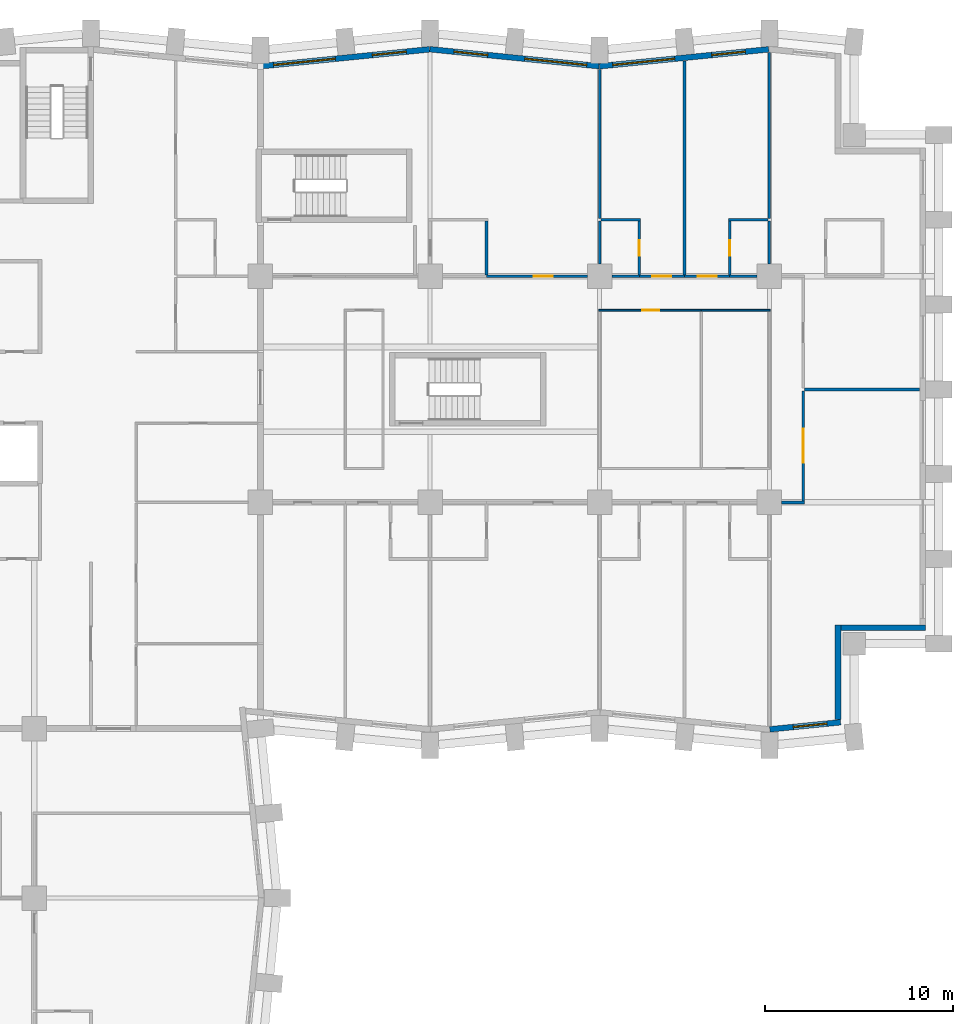
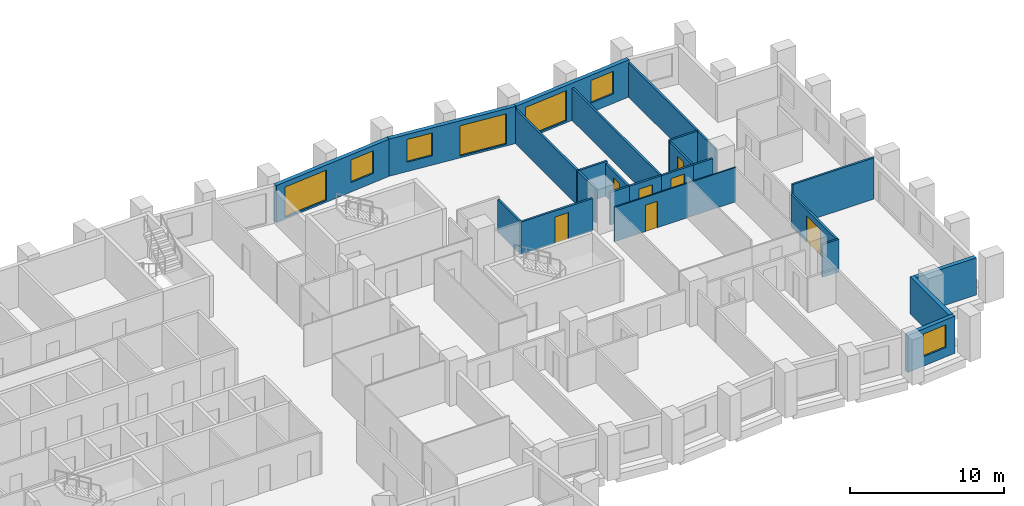
# One storey, part 9 of 13: 26 walls, 7 doors, 7 windows, 14 openings.
"""IFC4 building model written with IfcOpenShell, lengths in metres."""

from ifc_helpers import new_model, si_unit, direction, frame, frame_2d, origin, place, context, subcontext, project, spatial, rectangle, extrude, material, layer, layer_set, type_object, element, fill, save


model = new_model("IFC4")

# Units and contexts
model_context = context("Model", 3, precision=1e-05, world=origin(), true_north=direction((0.0, 1.0)))
body_context = subcontext(model_context, "Body", "Model", "MODEL_VIEW")
ifc_project = project(units=[si_unit("LENGTHUNIT", "METRE"), si_unit("AREAUNIT", "SQUARE_METRE"), si_unit("VOLUMEUNIT", "CUBIC_METRE"), si_unit("PLANEANGLEUNIT", "RADIAN"), si_unit("MASSUNIT", "GRAM", prefix="KILO")], contexts=[model_context])

# Site, building, storey
site_placement = place(None, origin())
site = spatial("IfcSite", under=ifc_project, at=site_placement, CompositionType="ELEMENT")
building_placement = place(site_placement, origin())
building = spatial("IfcBuilding", under=site, at=building_placement, Name="Brondeck Convention Tower", CompositionType="ELEMENT")
storey_placement = place(building_placement, frame((0.0, 0.0, 69.89990234375)))
storey = spatial("IfcBuildingStorey", under=building, at=storey_placement, Name="L15", CompositionType="ELEMENT", Elevation=69.89990234375)

# Wall, opening, window
ifc_material_1 = material(Name="Precast concrete C50/60 bronze finish", Category="concrete")
ifc_layer_1 = layer(ifc_material_1, 0.070068359375, Name="Bronze precast facing")
ifc_material_2 = material(Name="Mineral wool")
ifc_layer_2 = layer(ifc_material_2, 0.159912109375, Name="Insulation")
ifc_material_3 = material(Name="Concrete C35/45", Category="concrete")
ifc_layer_3 = layer(ifc_material_3, 0.070068359375, Name="Backing")
ifc_layer_set_1 = layer_set([ifc_layer_1, ifc_layer_2, ifc_layer_3], Name="External infill wall, precast concrete C50/60 bronze facing")
wall_type_1 = type_object("IfcWallType", Name="External infill wall, precast concrete C50/60 bronze facing", PredefinedType="SOLIDWALL", material=ifc_layer_set_1)
wall_1_placement = place(storey_placement, frame((66.78515625, 27.332763671875, 0.0), z_axis=(0.0, 0.0, 1.0), x_axis=(-0.995038471088, -0.099490909409, 0.0)))
wall_1 = element("IfcWall", 1, at=wall_1_placement, inside=storey, type_object=wall_type_1, Name="ENV-EW-L15-P0-A-S-06", PredefinedType="SOLIDWALL", context=body_context, shape_type="SweptSolid", body=[
    extrude(rectangle(XDim=3.774169921875, YDim=0.300048828125, at=frame_2d((1.88720703125, 0.0))), origin(), (0.0, 0.0, 1.0), 2.9501953125),
])
opening_1_placement = place(wall_1_placement, frame((0.727783203125, 0.0, 0.75)))
opening_1 = element("IfcOpeningElement", 2, at=opening_1_placement, cuts=wall_1, Name="Opening W10", PredefinedType="OPENING", context=body_context, shape_type="SweptSolid", body=[
    extrude(rectangle(XDim=1.800048828125, YDim=1.800048828125, at=frame_2d((0.89990234375, 0.89990234375))), frame((0.0, 0.159912109375, 0.0), z_axis=(0.0, -1.0, 0.0), x_axis=(1.0, 0.0, 0.0)), (0.0, 0.0, 1.0), 0.320068359375),
])
ifc_material_4 = material(Name="Bronze tinted double glazing", Category="glass")
window_type_1 = type_object("IfcWindowType", Name="Punched window, bronze tinted", PartitioningType="SINGLE_PANEL", PredefinedType="WINDOW", material=ifc_material_4)
window_1_placement = place(opening_1_placement, origin())
window_1 = element("IfcWindow", 3, at=window_1_placement, inside=storey, type_object=window_type_1, Name="ENV-WN-L15-P0-A-S-06", OverallHeight=1.800048828125, OverallWidth=1.800048828125, PartitioningType="SINGLE_PANEL", PredefinedType="WINDOW", context=body_context, shape_type="SweptSolid", body=[
    extrude(rectangle(XDim=1.800048828125, YDim=1.800048828125, at=frame_2d((0.89990234375, 0.89990234375))), frame((0.0, 0.030029296875, 0.0), z_axis=(0.0, -1.0, 0.0), x_axis=(1.0, 0.0, 0.0)), (0.0, 0.0, 1.0), 0.06005859375),
])
fill(opening_1, window_1)

# Walls
wall_2_placement = place(storey_placement, frame((66.64990234375, 32.5, 0.0), z_axis=(0.0, 0.0, 1.0), x_axis=(0.0, -1.0, 0.0)))
element("IfcWall", 4, at=wall_2_placement, inside=storey, type_object=wall_type_1, Name="ENV-EW-L15-P0-NC-SEA72-01", PredefinedType="SOLIDWALL", context=body_context, shape_type="SweptSolid", body=[
    extrude(rectangle(XDim=5.02880859375, YDim=0.300048828125, at=frame_2d((2.514404296875, 0.0))), origin(), (0.0, 0.0, 1.0), 2.9501953125),
])
wall_3_placement = place(storey_placement, frame((71.300048828125, 32.35009765625, 0.0), z_axis=(0.0, 0.0, 1.0), x_axis=(-1.0, 0.0, 0.0)))
element("IfcWall", 5, at=wall_3_placement, inside=storey, type_object=wall_type_1, Name="ENV-EW-L15-P0-NC-SEA72-02", PredefinedType="SOLIDWALL", context=body_context, shape_type="SweptSolid", body=[
    extrude(rectangle(XDim=4.5, YDim=0.300048828125, at=frame_2d((2.25, 0.0))), origin(), (0.0, 0.0, 1.0), 2.9501953125),
])

# Wall, openings, windows
wall_4_placement = place(storey_placement, frame((53.985107421875, 62.144287109375, 0.0), z_axis=(0.0, 0.0, 1.0), x_axis=(0.995037993253, 0.099495688264, 0.0)))
wall_4 = element("IfcWall", 6, at=wall_4_placement, inside=storey, type_object=wall_type_1, Name="ENV-EW-L15-P0-A-N-13", PredefinedType="SOLIDWALL", context=body_context, shape_type="SweptSolid", body=[
    extrude(rectangle(XDim=9.030029296875, YDim=0.300048828125, at=frame_2d((4.51513671875, 0.0))), origin(), (0.0, 0.0, 1.0), 2.9501953125),
])
opening_2_placement = place(wall_4_placement, frame((0.711181640625, 0.0, 0.14990234375)))
opening_2 = element("IfcOpeningElement", 7, at=opening_2_placement, cuts=wall_4, Name="Opening W9", PredefinedType="OPENING", context=body_context, shape_type="SweptSolid", body=[
    extrude(rectangle(XDim=3.300048828125, YDim=2.39990234375, at=frame_2d((1.64990234375, 1.199951171875))), frame((0.0, 0.159912109375, 0.0), z_axis=(0.0, -1.0, 0.0), x_axis=(1.0, 0.0, 0.0)), (0.0, 0.0, 1.0), 0.320068359375),
])
opening_3_placement = place(wall_4_placement, frame((5.983642578125, 0.0, 0.75)))
opening_3 = element("IfcOpeningElement", 8, at=opening_3_placement, cuts=wall_4, Name="Opening W10", PredefinedType="OPENING", context=body_context, shape_type="SweptSolid", body=[
    extrude(rectangle(XDim=1.800048828125, YDim=1.800048828125, at=frame_2d((0.89990234375, 0.89990234375))), frame((0.0, 0.159912109375, 0.0), z_axis=(0.0, -1.0, 0.0), x_axis=(1.0, 0.0, 0.0)), (0.0, 0.0, 1.0), 0.320068359375),
])
window_type_2 = type_object("IfcWindowType", Name="Glazed flute window, bronze tinted", PartitioningType="SINGLE_PANEL", PredefinedType="WINDOW", material=ifc_material_4)
window_2_placement = place(opening_2_placement, origin())
window_2 = element("IfcWindow", 9, at=window_2_placement, inside=storey, type_object=window_type_2, Name="ENV-WN-L15-P0-A-N-12", OverallHeight=2.39990234375, OverallWidth=3.300048828125, PartitioningType="SINGLE_PANEL", PredefinedType="WINDOW", context=body_context, shape_type="SweptSolid", body=[
    extrude(rectangle(XDim=3.300048828125, YDim=2.39990234375, at=frame_2d((1.64990234375, 1.199951171875))), frame((0.0, 0.030029296875, 0.0), z_axis=(0.0, -1.0, 0.0), x_axis=(1.0, 0.0, 0.0)), (0.0, 0.0, 1.0), 0.06005859375),
])
fill(opening_2, window_2)
window_3_placement = place(opening_3_placement, origin())
window_3 = element("IfcWindow", 10, at=window_3_placement, inside=storey, type_object=window_type_1, Name="ENV-WN-L15-P0-A-N-13", OverallHeight=1.800048828125, OverallWidth=1.800048828125, PartitioningType="SINGLE_PANEL", PredefinedType="WINDOW", context=body_context, shape_type="SweptSolid", body=[
    extrude(rectangle(XDim=1.800048828125, YDim=1.800048828125, at=frame_2d((0.89990234375, 0.89990234375))), frame((0.0, 0.030029296875, 0.0), z_axis=(0.0, -1.0, 0.0), x_axis=(1.0, 0.0, 0.0)), (0.0, 0.0, 1.0), 0.06005859375),
])
fill(opening_3, window_3)

wall_5_placement = place(storey_placement, frame((44.985107421875, 63.04736328125, 0.0), z_axis=(0.0, 0.0, 1.0), x_axis=(0.995035316196, -0.099522457379, 0.0)))
wall_5 = element("IfcWall", 11, at=wall_5_placement, inside=storey, type_object=wall_type_1, Name="ENV-EW-L15-P0-A-N-11", PredefinedType="SOLIDWALL", context=body_context, shape_type="SweptSolid", body=[
    extrude(rectangle(XDim=9.030029296875, YDim=0.300048828125, at=frame_2d((4.51513671875, 0.0))), origin(), (0.0, 0.0, 1.0), 2.9501953125),
])
opening_4_placement = place(wall_5_placement, frame((1.291259765625, 0.0, 0.75)))
opening_4 = element("IfcOpeningElement", 12, at=opening_4_placement, cuts=wall_5, Name="Opening W10", PredefinedType="OPENING", context=body_context, shape_type="SweptSolid", body=[
    extrude(rectangle(XDim=1.800048828125, YDim=1.800048828125, at=frame_2d((0.89990234375, 0.89990234375))), frame((0.0, 0.159912109375, 0.0), z_axis=(0.0, -1.0, 0.0), x_axis=(1.0, 0.0, 0.0)), (0.0, 0.0, 1.0), 0.320068359375),
])
opening_5_placement = place(wall_5_placement, frame((5.063720703125, 0.0, 0.14990234375)))
opening_5 = element("IfcOpeningElement", 13, at=opening_5_placement, cuts=wall_5, Name="Opening W9", PredefinedType="OPENING", context=body_context, shape_type="SweptSolid", body=[
    extrude(rectangle(XDim=3.300048828125, YDim=2.39990234375, at=frame_2d((1.64990234375, 1.199951171875))), frame((0.0, 0.159912109375, 0.0), z_axis=(0.0, -1.0, 0.0), x_axis=(1.0, 0.0, 0.0)), (0.0, 0.0, 1.0), 0.320068359375),
])
window_4_placement = place(opening_5_placement, origin())
window_4 = element("IfcWindow", 14, at=window_4_placement, inside=storey, type_object=window_type_2, Name="ENV-WN-L15-P0-A-N-11", OverallHeight=2.39990234375, OverallWidth=3.300048828125, PartitioningType="SINGLE_PANEL", PredefinedType="WINDOW", context=body_context, shape_type="SweptSolid", body=[
    extrude(rectangle(XDim=3.300048828125, YDim=2.39990234375, at=frame_2d((1.64990234375, 1.199951171875))), frame((0.0, 0.030029296875, 0.0), z_axis=(0.0, -1.0, 0.0), x_axis=(1.0, 0.0, 0.0)), (0.0, 0.0, 1.0), 0.06005859375),
])
fill(opening_5, window_4)
window_5_placement = place(opening_4_placement, origin())
window_5 = element("IfcWindow", 15, at=window_5_placement, inside=storey, type_object=window_type_1, Name="ENV-WN-L15-P0-A-N-10", OverallHeight=1.800048828125, OverallWidth=1.800048828125, PartitioningType="SINGLE_PANEL", PredefinedType="WINDOW", context=body_context, shape_type="SweptSolid", body=[
    extrude(rectangle(XDim=1.800048828125, YDim=1.800048828125, at=frame_2d((0.89990234375, 0.89990234375))), frame((0.0, 0.030029296875, 0.0), z_axis=(0.0, -1.0, 0.0), x_axis=(1.0, 0.0, 0.0)), (0.0, 0.0, 1.0), 0.06005859375),
])
fill(opening_4, window_5)

wall_6_placement = place(storey_placement, frame((35.985107421875, 62.144287109375, 0.0), z_axis=(0.0, 0.0, 1.0), x_axis=(0.995037993253, 0.099495688264, 0.0)))
wall_6 = element("IfcWall", 16, at=wall_6_placement, inside=storey, type_object=wall_type_1, Name="ENV-EW-L15-P0-A-N-09", PredefinedType="SOLIDWALL", context=body_context, shape_type="SweptSolid", body=[
    extrude(rectangle(XDim=9.030029296875, YDim=0.300048828125, at=frame_2d((4.51513671875, 0.0))), origin(), (0.0, 0.0, 1.0), 2.9501953125),
])
opening_6_placement = place(wall_6_placement, frame((0.711181640625, 0.0, 0.14990234375)))
opening_6 = element("IfcOpeningElement", 17, at=opening_6_placement, cuts=wall_6, Name="Opening W9", PredefinedType="OPENING", context=body_context, shape_type="SweptSolid", body=[
    extrude(rectangle(XDim=3.300048828125, YDim=2.39990234375, at=frame_2d((1.64990234375, 1.199951171875))), frame((0.0, 0.159912109375, 0.0), z_axis=(0.0, -1.0, 0.0), x_axis=(1.0, 0.0, 0.0)), (0.0, 0.0, 1.0), 0.320068359375),
])
opening_7_placement = place(wall_6_placement, frame((5.983642578125, 0.0, 0.75)))
opening_7 = element("IfcOpeningElement", 18, at=opening_7_placement, cuts=wall_6, Name="Opening W10", PredefinedType="OPENING", context=body_context, shape_type="SweptSolid", body=[
    extrude(rectangle(XDim=1.800048828125, YDim=1.800048828125, at=frame_2d((0.89990234375, 0.89990234375))), frame((0.0, 0.159912109375, 0.0), z_axis=(0.0, -1.0, 0.0), x_axis=(1.0, 0.0, 0.0)), (0.0, 0.0, 1.0), 0.320068359375),
])
window_6_placement = place(opening_6_placement, origin())
window_6 = element("IfcWindow", 19, at=window_6_placement, inside=storey, type_object=window_type_2, Name="ENV-WN-L15-P0-A-N-08", OverallHeight=2.39990234375, OverallWidth=3.300048828125, PartitioningType="SINGLE_PANEL", PredefinedType="WINDOW", context=body_context, shape_type="SweptSolid", body=[
    extrude(rectangle(XDim=3.300048828125, YDim=2.39990234375, at=frame_2d((1.64990234375, 1.199951171875))), frame((0.0, 0.030029296875, 0.0), z_axis=(0.0, -1.0, 0.0), x_axis=(1.0, 0.0, 0.0)), (0.0, 0.0, 1.0), 0.06005859375),
])
fill(opening_6, window_6)
window_7_placement = place(opening_7_placement, origin())
window_7 = element("IfcWindow", 20, at=window_7_placement, inside=storey, type_object=window_type_1, Name="ENV-WN-L15-P0-A-N-09", OverallHeight=1.800048828125, OverallWidth=1.800048828125, PartitioningType="SINGLE_PANEL", PredefinedType="WINDOW", context=body_context, shape_type="SweptSolid", body=[
    extrude(rectangle(XDim=1.800048828125, YDim=1.800048828125, at=frame_2d((0.89990234375, 0.89990234375))), frame((0.0, 0.030029296875, 0.0), z_axis=(0.0, -1.0, 0.0), x_axis=(1.0, 0.0, 0.0)), (0.0, 0.0, 1.0), 0.06005859375),
])
fill(opening_7, window_7)

# Wall
ifc_material_5 = material(Name="Double gypsum board acoustic wall")
ifc_layer_4 = layer(ifc_material_5, 0.14990234375)
ifc_layer_set_2 = layer_set([ifc_layer_4], Name="Guest room party wall 150")
wall_type_2 = type_object("IfcWallType", Name="Guest room party wall 150", PredefinedType="PARTITIONING", material=ifc_layer_set_2)
wall_7_placement = place(storey_placement, frame((64.875, 39.0, 0.0), z_axis=(0.0, 0.0, 1.0), x_axis=(-1.0, 0.0, 0.0)))
element("IfcWall", 21, at=wall_7_placement, inside=storey, type_object=wall_type_2, Name="FLR-L15-W072", PredefinedType="PARTITIONING", context=body_context, shape_type="SweptSolid", body=[
    extrude(rectangle(XDim=1.219970703125, YDim=0.14990234375, at=frame_2d((0.60986328125, 0.0))), origin(), (0.0, 0.0, 1.0), 2.580078125),
])

# Wall, opening, door
wall_8_placement = place(storey_placement, frame((64.800048828125, 44.925048828125, 0.0), z_axis=(0.0, 0.0, 1.0), x_axis=(0.0, -1.0, 0.0)))
wall_8 = element("IfcWall", 22, at=wall_8_placement, inside=storey, type_object=wall_type_2, Name="FLR-L15-W080", PredefinedType="PARTITIONING", context=body_context, shape_type="SweptSolid", body=[
    extrude(rectangle(XDim=5.85009765625, YDim=0.14990234375, at=frame_2d((2.925048828125, 0.0))), origin(), (0.0, 0.0, 1.0), 2.580078125),
])
opening_8_placement = place(wall_8_placement, frame((2.02490234375, 0.0, 0.0)))
opening_8 = element("IfcOpeningElement", 23, at=opening_8_placement, cuts=wall_8, Name="Opening H4-022", PredefinedType="OPENING", context=body_context, shape_type="SweptSolid", body=[
    extrude(rectangle(XDim=1.800048828125, YDim=2.10009765625, at=frame_2d((0.89990234375, 1.050048828125))), frame((0.0, 0.0849609375, 0.0), z_axis=(0.0, -1.0, 0.0), x_axis=(1.0, 0.0, 0.0)), (0.0, 0.0, 1.0), 0.169921875),
])
ifc_material_6 = material(Name="Glazed timber double door", Category="wood")
door_type_1 = type_object("IfcDoorType", Name="Double door 1800", OperationType="DOUBLE_DOOR_SINGLE_SWING", PredefinedType="DOOR", material=ifc_material_6)
door_1_placement = place(opening_8_placement, origin())
door_1 = element("IfcDoor", 24, at=door_1_placement, inside=storey, type_object=door_type_1, Name="Door H4-022", OperationType="DOUBLE_DOOR_SINGLE_SWING", OverallHeight=2.10009765625, OverallWidth=1.800048828125, PredefinedType="DOOR", context=body_context, shape_type="SweptSolid", body=[
    extrude(rectangle(XDim=1.800048828125, YDim=2.10009765625, at=frame_2d((0.89990234375, 1.050048828125))), frame((0.0, 0.02490234375, 0.0), z_axis=(0.0, -1.0, 0.0), x_axis=(1.0, 0.0, 0.0)), (0.0, 0.0, 1.0), 0.050048828125),
])
fill(opening_8, door_1)

# Wall
wall_9_placement = place(storey_placement, frame((70.97998046875, 45.0, 0.0), z_axis=(0.0, 0.0, 1.0), x_axis=(-1.0, 0.0, 0.0)))
element("IfcWall", 25, at=wall_9_placement, inside=storey, type_object=wall_type_2, Name="FLR-L15-W081", PredefinedType="PARTITIONING", context=body_context, shape_type="SweptSolid", body=[
    extrude(rectangle(XDim=6.10498046875, YDim=0.14990234375, at=frame_2d((3.052490234375, 0.0))), origin(), (0.0, 0.0, 1.0), 3.280029296875),
])

# Wall, opening, door
wall_10_placement = place(storey_placement, frame((48.0, 51.0, 0.0), z_axis=(0.0, 0.0, 1.0), x_axis=(1.0, 0.0, 0.0)))
wall_10 = element("IfcWall", 26, at=wall_10_placement, inside=storey, type_object=wall_type_2, Name="FLR-L15-W100", PredefinedType="PARTITIONING", context=body_context, shape_type="SweptSolid", body=[
    extrude(rectangle(XDim=5.344970703125, YDim=0.14990234375, at=frame_2d((2.67236328125, 0.0))), origin(), (0.0, 0.0, 1.0), 2.580078125),
])
opening_9_placement = place(wall_10_placement, frame((2.5, 0.0, 0.0)))
opening_9 = element("IfcOpeningElement", 27, at=opening_9_placement, cuts=wall_10, Name="Opening H4-002", PredefinedType="OPENING", context=body_context, shape_type="SweptSolid", body=[
    extrude(rectangle(XDim=1.0, YDim=2.10009765625, at=frame_2d((0.5, 1.050048828125))), frame((0.0, 0.0849609375, 0.0), z_axis=(0.0, -1.0, 0.0), x_axis=(1.0, 0.0, 0.0)), (0.0, 0.0, 1.0), 0.169921875),
])
ifc_material_7 = material(Name="Solid timber fire door leaf", Category="wood")
door_type_2 = type_object("IfcDoorType", Name="Guest room door 1000", OperationType="NOTDEFINED", PredefinedType="DOOR", material=ifc_material_7)
door_2_placement = place(opening_9_placement, origin())
door_2 = element("IfcDoor", 28, at=door_2_placement, inside=storey, type_object=door_type_2, Name="Door H4-002", OperationType="SINGLE_SWING_RIGHT", OverallHeight=2.10009765625, OverallWidth=1.0, PredefinedType="DOOR", context=body_context, shape_type="SweptSolid", body=[
    extrude(rectangle(XDim=1.0, YDim=2.10009765625, at=frame_2d((0.5, 1.050048828125))), frame((0.0, 0.02490234375, 0.0), z_axis=(0.0, -1.0, 0.0), x_axis=(1.0, 0.0, 0.0)), (0.0, 0.0, 1.0), 0.050048828125),
])
fill(opening_9, door_2)

# Wall
wall_11_placement = place(storey_placement, frame((54.655029296875, 51.0, 0.0), z_axis=(0.0, 0.0, 1.0), x_axis=(1.0, 0.0, 0.0)))
element("IfcWall", 29, at=wall_11_placement, inside=storey, type_object=wall_type_2, Name="FLR-L15-W101", PredefinedType="PARTITIONING", context=body_context, shape_type="SweptSolid", body=[
    extrude(rectangle(XDim=1.445068359375, YDim=0.14990234375, at=frame_2d((0.72265625, 0.0))), origin(), (0.0, 0.0, 1.0), 2.580078125),
])

# Wall, opening, door
wall_12_placement = place(storey_placement, frame((56.10009765625, 51.0, 0.0), z_axis=(0.0, 0.0, 1.0), x_axis=(1.0, 0.0, 0.0)))
wall_12 = element("IfcWall", 30, at=wall_12_placement, inside=storey, type_object=wall_type_2, Name="FLR-L15-W102", PredefinedType="PARTITIONING", context=body_context, shape_type="SweptSolid", body=[
    extrude(rectangle(XDim=2.39990234375, YDim=0.14990234375, at=frame_2d((1.199951171875, 0.0))), origin(), (0.0, 0.0, 1.0), 2.580078125),
])
opening_10_placement = place(wall_12_placement, frame((0.699951171875, 0.0, 0.0)))
opening_10 = element("IfcOpeningElement", 31, at=opening_10_placement, cuts=wall_12, Name="Opening H4-004", PredefinedType="OPENING", context=body_context, shape_type="SweptSolid", body=[
    extrude(rectangle(XDim=1.0, YDim=2.10009765625, at=frame_2d((0.5, 1.050048828125))), frame((0.0, 0.0849609375, 0.0), z_axis=(0.0, -1.0, 0.0), x_axis=(1.0, 0.0, 0.0)), (0.0, 0.0, 1.0), 0.169921875),
])
door_3_placement = place(opening_10_placement, origin())
door_3 = element("IfcDoor", 32, at=door_3_placement, inside=storey, type_object=door_type_2, Name="Door H4-004", OperationType="SINGLE_SWING_LEFT", OverallHeight=2.10009765625, OverallWidth=1.0, PredefinedType="DOOR", context=body_context, shape_type="SweptSolid", body=[
    extrude(rectangle(XDim=1.0, YDim=2.10009765625, at=frame_2d((0.5, 1.050048828125))), frame((0.0, 0.02490234375, 0.0), z_axis=(0.0, -1.0, 0.0), x_axis=(1.0, 0.0, 0.0)), (0.0, 0.0, 1.0), 0.050048828125),
])
fill(opening_10, door_3)

wall_13_placement = place(storey_placement, frame((58.5, 51.0, 0.0), z_axis=(0.0, 0.0, 1.0), x_axis=(1.0, 0.0, 0.0)))
wall_13 = element("IfcWall", 33, at=wall_13_placement, inside=storey, type_object=wall_type_2, Name="FLR-L15-W103", PredefinedType="PARTITIONING", context=body_context, shape_type="SweptSolid", body=[
    extrude(rectangle(XDim=2.39990234375, YDim=0.14990234375, at=frame_2d((1.199951171875, 0.0))), origin(), (0.0, 0.0, 1.0), 2.580078125),
])
opening_11_placement = place(wall_13_placement, frame((0.699951171875, 0.0, 0.0)))
opening_11 = element("IfcOpeningElement", 34, at=opening_11_placement, cuts=wall_13, Name="Opening H4-006", PredefinedType="OPENING", context=body_context, shape_type="SweptSolid", body=[
    extrude(rectangle(XDim=1.0, YDim=2.10009765625, at=frame_2d((0.5, 1.050048828125))), frame((0.0, 0.0849609375, 0.0), z_axis=(0.0, -1.0, 0.0), x_axis=(1.0, 0.0, 0.0)), (0.0, 0.0, 1.0), 0.169921875),
])
door_4_placement = place(opening_11_placement, origin())
door_4 = element("IfcDoor", 35, at=door_4_placement, inside=storey, type_object=door_type_2, Name="Door H4-006", OperationType="SINGLE_SWING_LEFT", OverallHeight=2.10009765625, OverallWidth=1.0, PredefinedType="DOOR", context=body_context, shape_type="SweptSolid", body=[
    extrude(rectangle(XDim=1.0, YDim=2.10009765625, at=frame_2d((0.5, 1.050048828125))), frame((0.0, 0.02490234375, 0.0), z_axis=(0.0, -1.0, 0.0), x_axis=(1.0, 0.0, 0.0)), (0.0, 0.0, 1.0), 0.050048828125),
])
fill(opening_11, door_4)

# Walls
wall_14_placement = place(storey_placement, frame((60.89990234375, 51.0, 0.0), z_axis=(0.0, 0.0, 1.0), x_axis=(1.0, 0.0, 0.0)))
element("IfcWall", 36, at=wall_14_placement, inside=storey, type_object=wall_type_2, Name="FLR-L15-W104", PredefinedType="PARTITIONING", context=body_context, shape_type="SweptSolid", body=[
    extrude(rectangle(XDim=1.445068359375, YDim=0.14990234375, at=frame_2d((0.72265625, 0.0))), origin(), (0.0, 0.0, 1.0), 2.580078125),
])
wall_15_placement = place(storey_placement, frame((48.0, 51.074951171875, 0.0), z_axis=(0.0, 0.0, 1.0), x_axis=(0.0, 1.0, 0.0)))
element("IfcWall", 37, at=wall_15_placement, inside=storey, type_object=wall_type_2, Name="FLR-L15-W108", PredefinedType="PARTITIONING", context=body_context, shape_type="SweptSolid", body=[
    extrude(rectangle(XDim=2.85009765625, YDim=0.14990234375, at=frame_2d((1.425048828125, 0.0))), origin(), (0.0, 0.0, 1.0), 2.580078125),
])

# Wall, opening, door
wall_16_placement = place(storey_placement, frame((56.10009765625, 51.074951171875, 0.0), z_axis=(0.0, 0.0, 1.0), x_axis=(0.0, 1.0, 0.0)))
wall_16 = element("IfcWall", 38, at=wall_16_placement, inside=storey, type_object=wall_type_2, Name="FLR-L15-W109", PredefinedType="PARTITIONING", context=body_context, shape_type="SweptSolid", body=[
    extrude(rectangle(XDim=2.85009765625, YDim=0.14990234375, at=frame_2d((1.425048828125, 0.0))), origin(), (0.0, 0.0, 1.0), 2.580078125),
])
opening_12_placement = place(wall_16_placement, frame((1.02490234375, 0.0, 0.0)))
opening_12 = element("IfcOpeningElement", 39, at=opening_12_placement, cuts=wall_16, Name="Opening H4-005", PredefinedType="OPENING", context=body_context, shape_type="SweptSolid", body=[
    extrude(rectangle(XDim=0.800048828125, YDim=2.10009765625, at=frame_2d((0.39990234375, 1.050048828125))), frame((0.0, 0.0849609375, 0.0), z_axis=(0.0, -1.0, 0.0), x_axis=(1.0, 0.0, 0.0)), (0.0, 0.0, 1.0), 0.169921875),
])
ifc_material_8 = material(Name="Solid timber door leaf", Category="wood")
door_type_3 = type_object("IfcDoorType", Name="En-suite door 800", OperationType="NOTDEFINED", PredefinedType="DOOR", material=ifc_material_8)
door_5_placement = place(opening_12_placement, origin())
door_5 = element("IfcDoor", 40, at=door_5_placement, inside=storey, type_object=door_type_3, Name="Door H4-005", OperationType="SINGLE_SWING_LEFT", OverallHeight=2.10009765625, OverallWidth=0.800048828125, PredefinedType="DOOR", context=body_context, shape_type="SweptSolid", body=[
    extrude(rectangle(XDim=0.800048828125, YDim=2.10009765625, at=frame_2d((0.39990234375, 1.050048828125))), frame((0.0, 0.02490234375, 0.0), z_axis=(0.0, -1.0, 0.0), x_axis=(1.0, 0.0, 0.0)), (0.0, 0.0, 1.0), 0.050048828125),
])
fill(opening_12, door_5)

# Wall
wall_17_placement = place(storey_placement, frame((54.0, 53.925048828125, 0.0), z_axis=(0.0, 0.0, 1.0), x_axis=(0.0, -1.0, 0.0)))
element("IfcWall", 41, at=wall_17_placement, inside=storey, type_object=wall_type_2, Name="FLR-L15-W115", PredefinedType="PARTITIONING", context=body_context, shape_type="SweptSolid", body=[
    extrude(rectangle(XDim=2.27001953125, YDim=0.14990234375, at=frame_2d((1.135009765625, 0.0))), origin(), (0.0, 0.0, 1.0), 2.72998046875),
])

# Wall, opening, door
wall_18_placement = place(storey_placement, frame((60.89990234375, 53.925048828125, 0.0), z_axis=(0.0, 0.0, 1.0), x_axis=(0.0, -1.0, 0.0)))
wall_18 = element("IfcWall", 42, at=wall_18_placement, inside=storey, type_object=wall_type_2, Name="FLR-L15-W116", PredefinedType="PARTITIONING", context=body_context, shape_type="SweptSolid", body=[
    extrude(rectangle(XDim=2.85009765625, YDim=0.14990234375, at=frame_2d((1.425048828125, 0.0))), origin(), (0.0, 0.0, 1.0), 2.580078125),
])
opening_13_placement = place(wall_18_placement, frame((1.02490234375, 0.0, 0.0)))
opening_13 = element("IfcOpeningElement", 43, at=opening_13_placement, cuts=wall_18, Name="Opening H4-007", PredefinedType="OPENING", context=body_context, shape_type="SweptSolid", body=[
    extrude(rectangle(XDim=0.800048828125, YDim=2.10009765625, at=frame_2d((0.39990234375, 1.050048828125))), frame((0.0, 0.0849609375, 0.0), z_axis=(0.0, -1.0, 0.0), x_axis=(1.0, 0.0, 0.0)), (0.0, 0.0, 1.0), 0.169921875),
])
door_6_placement = place(opening_13_placement, origin())
door_6 = element("IfcDoor", 44, at=door_6_placement, inside=storey, type_object=door_type_3, Name="Door H4-007", OperationType="SINGLE_SWING_LEFT", OverallHeight=2.10009765625, OverallWidth=0.800048828125, PredefinedType="DOOR", context=body_context, shape_type="SweptSolid", body=[
    extrude(rectangle(XDim=0.800048828125, YDim=2.10009765625, at=frame_2d((0.39990234375, 1.050048828125))), frame((0.0, 0.02490234375, 0.0), z_axis=(0.0, -1.0, 0.0), x_axis=(1.0, 0.0, 0.0)), (0.0, 0.0, 1.0), 0.050048828125),
])
fill(opening_13, door_6)

# Walls
wall_19_placement = place(storey_placement, frame((63.0, 53.925048828125, 0.0), z_axis=(0.0, 0.0, 1.0), x_axis=(0.0, -1.0, 0.0)))
element("IfcWall", 45, at=wall_19_placement, inside=storey, type_object=wall_type_2, Name="FLR-L15-W117", PredefinedType="PARTITIONING", context=body_context, shape_type="SweptSolid", body=[
    extrude(rectangle(XDim=2.27001953125, YDim=0.14990234375, at=frame_2d((1.135009765625, 0.0))), origin(), (0.0, 0.0, 1.0), 2.72998046875),
])
for number, where, z_axis, x_axis, name in (
    (46, (56.175048828125, 54.0, 0.0), (0.0, 0.0, 1.0), (-1.0, 0.0, 0.0), "FLR-L15-W121"),
    (47, (62.925048828125, 54.0, 0.0), (0.0, 0.0, 1.0), (-1.0, 0.0, 0.0), "FLR-L15-W122"),
):
    element("IfcWall", number, at=place(storey_placement, frame(where, z_axis=z_axis, x_axis=x_axis)), inside=storey, type_object=wall_type_2, Name=name, PredefinedType="PARTITIONING", context=body_context, shape_type="SweptSolid", body=[
        extrude(rectangle(XDim=2.10009765625, YDim=0.14990234375, at=frame_2d((1.050048828125, 0.0))), origin(), (0.0, 0.0, 1.0), 2.72998046875),
    ])
wall_20_placement = place(storey_placement, frame((54.0, 61.97509765625, 0.0), z_axis=(0.0, 0.0, 1.0), x_axis=(0.0, -1.0, 0.0)))
element("IfcWall", 48, at=wall_20_placement, inside=storey, type_object=wall_type_2, Name="FLR-L15-W125", PredefinedType="PARTITIONING", context=body_context, shape_type="SweptSolid", body=[
    extrude(rectangle(XDim=7.900146484375, YDim=0.14990234375, at=frame_2d((3.9501953125, 0.0))), origin(), (0.0, 0.0, 1.0), 2.72998046875),
])
wall_21_placement = place(storey_placement, frame((58.5, 62.425048828125, 0.0), z_axis=(0.0, 0.0, 1.0), x_axis=(0.0, -1.0, 0.0)))
element("IfcWall", 49, at=wall_21_placement, inside=storey, type_object=wall_type_2, Name="FLR-L15-W127", PredefinedType="PARTITIONING", context=body_context, shape_type="SweptSolid", body=[
    extrude(rectangle(XDim=11.35009765625, YDim=0.14990234375, at=frame_2d((5.675048828125, 0.0))), origin(), (0.0, 0.0, 1.0), 2.580078125),
])
wall_22_placement = place(storey_placement, frame((63.0, 62.875, 0.0), z_axis=(0.0, 0.0, 1.0), x_axis=(0.0, -1.0, 0.0)))
element("IfcWall", 50, at=wall_22_placement, inside=storey, type_object=wall_type_2, Name="FLR-L15-W128", PredefinedType="PARTITIONING", context=body_context, shape_type="SweptSolid", body=[
    extrude(rectangle(XDim=8.800048828125, YDim=0.14990234375, at=frame_2d((4.39990234375, 0.0))), origin(), (0.0, 0.0, 1.0), 2.72998046875),
])

# Wall, opening, door
ifc_material_9 = material(Name="Gypsum board partition on steel studs", Category="steel")
ifc_layer_5 = layer(ifc_material_9, 0.10009765625)
ifc_layer_set_3 = layer_set([ifc_layer_5], Name="Room partition 100")
wall_type_3 = type_object("IfcWallType", Name="Room partition 100", PredefinedType="PARTITIONING", material=ifc_layer_set_3)
wall_23_placement = place(storey_placement, frame((59.39990234375, 49.199951171875, 0.0), z_axis=(0.0, 0.0, 1.0), x_axis=(-1.0, 0.0, 0.0)))
wall_23 = element("IfcWall", 51, at=wall_23_placement, inside=storey, type_object=wall_type_3, Name="FLR-L15-W090", PredefinedType="PARTITIONING", context=body_context, shape_type="SweptSolid", body=[
    extrude(rectangle(XDim=5.449951171875, YDim=0.10009765625, at=frame_2d((2.72509765625, 0.0))), origin(), (0.0, 0.0, 1.0), 2.72998046875),
])
opening_14_placement = place(wall_23_placement, frame((2.25, 0.0, 0.0)))
opening_14 = element("IfcOpeningElement", 52, at=opening_14_placement, cuts=wall_23, Name="Opening H4-018", PredefinedType="OPENING", context=body_context, shape_type="SweptSolid", body=[
    extrude(rectangle(XDim=0.89990234375, YDim=2.10009765625, at=frame_2d((0.449951171875, 1.050048828125))), frame((0.0, 0.06005859375, 0.0), z_axis=(0.0, -1.0, 0.0), x_axis=(1.0, 0.0, 0.0)), (0.0, 0.0, 1.0), 0.1201171875),
])
door_type_4 = type_object("IfcDoorType", Name="Single door 900", OperationType="NOTDEFINED", PredefinedType="DOOR", material=ifc_material_8)
door_7_placement = place(opening_14_placement, origin())
door_7 = element("IfcDoor", 53, at=door_7_placement, inside=storey, type_object=door_type_4, Name="Door H4-018", OperationType="SINGLE_SWING_LEFT", OverallHeight=2.10009765625, OverallWidth=0.89990234375, PredefinedType="DOOR", context=body_context, shape_type="SweptSolid", body=[
    extrude(rectangle(XDim=0.89990234375, YDim=2.10009765625, at=frame_2d((0.449951171875, 1.050048828125))), frame((0.0, 0.02490234375, 0.0), z_axis=(0.0, -1.0, 0.0), x_axis=(1.0, 0.0, 0.0)), (0.0, 0.0, 1.0), 0.050048828125),
])
fill(opening_14, door_7)

# Wall
wall_24_placement = place(storey_placement, frame((63.050048828125, 49.199951171875, 0.0), z_axis=(0.0, 0.0, 1.0), x_axis=(-1.0, 0.0, 0.0)))
element("IfcWall", 54, at=wall_24_placement, inside=storey, type_object=wall_type_3, Name="FLR-L15-W091", PredefinedType="PARTITIONING", context=body_context, shape_type="SweptSolid", body=[
    extrude(rectangle(XDim=3.650146484375, YDim=0.10009765625, at=frame_2d((1.8251953125, 0.0))), origin(), (0.0, 0.0, 1.0), 2.72998046875),
])

save(model, "model.ifc")
